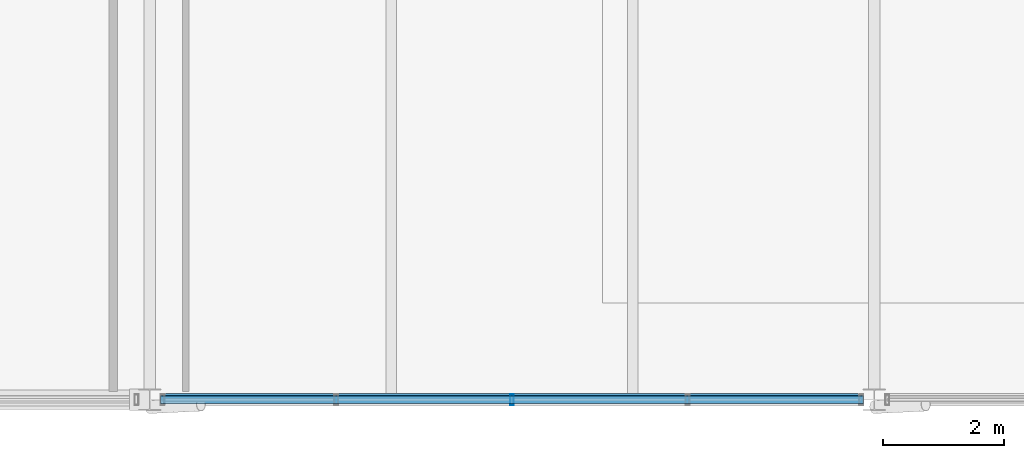
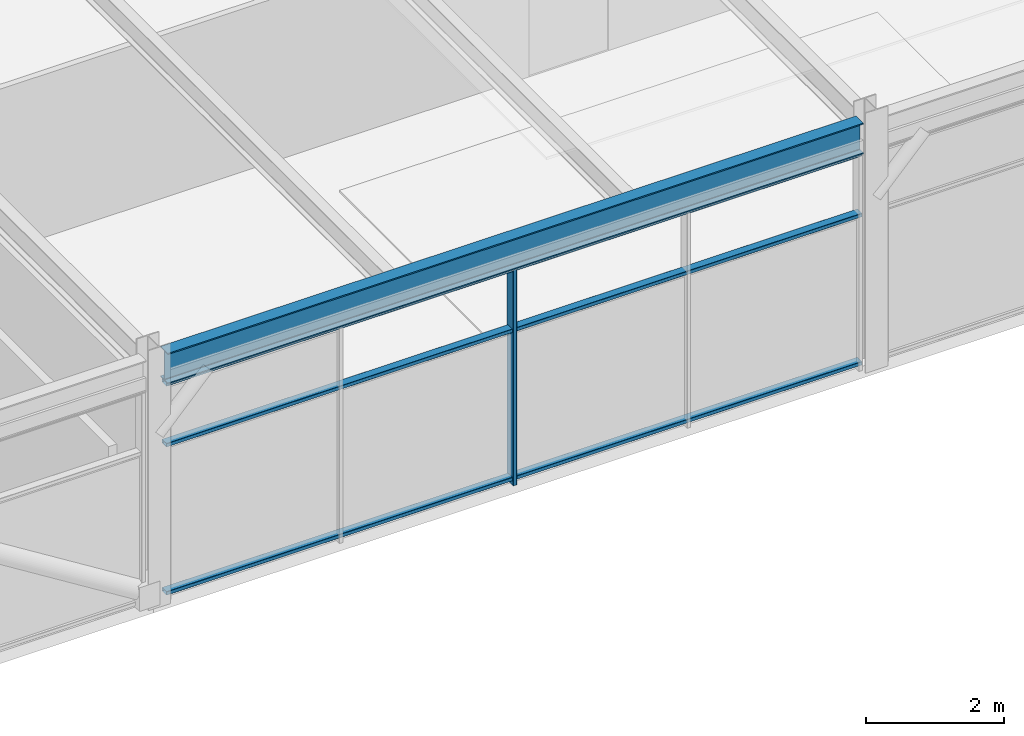
# One storey, part 8 of 28: 4 members, 1 beam, 1 element without a shape of its own.
"""IFC4 building model written with IfcOpenShell, lengths in metres."""

from ifc_helpers import new_model, si_unit, direction, frame, origin, origin_2d, place, context, subcontext, project, spatial, hollow_rectangle, i_section, extrude, material, material_profile, profile_set, type_object, element, aggregate, save


model = new_model("IFC4")

# Units and contexts
model_context = context("Model", 3, precision=1e-05, world=origin(), true_north=direction((0.0, 1.0)))
body_context = subcontext(model_context, "Body", "Model", "MODEL_VIEW")
ifc_project = project(units=[si_unit("LENGTHUNIT", "METRE"), si_unit("AREAUNIT", "SQUARE_METRE"), si_unit("VOLUMEUNIT", "CUBIC_METRE"), si_unit("PLANEANGLEUNIT", "RADIAN"), si_unit("MASSUNIT", "GRAM", prefix="KILO")], contexts=[model_context])

# Site, building, storey
site_placement = place(None, origin())
site = spatial("IfcSite", under=ifc_project, at=site_placement, CompositionType="ELEMENT")
building_placement = place(site_placement, origin())
building = spatial("IfcBuilding", under=site, at=building_placement, Name="Girod Span Mobility Hub", CompositionType="ELEMENT")
storey_placement = place(building_placement, frame((0.0, 0.0, 69.60009765625)))
storey = spatial("IfcBuildingStorey", under=building, at=storey_placement, Name="L17", CompositionType="ELEMENT", Elevation=69.60009765625)

# Beam
ifc_material_1 = material(Name="Steel A992 Grade 50", Category="steel")
ifc_material_profile_1 = material_profile(ifc_material_1, i_section(OverallWidth=0.2119140625, OverallDepth=0.5439453125, WebThickness=0.01318359375, FlangeThickness=0.021240234375, FilletRadius=0.014892578125, at=origin_2d()), Name="W21X83")
ifc_profile_set_1 = profile_set([ifc_material_profile_1], Name="Steel A992 Grade 50")
beam_type = type_object("IfcBeamType", Name="BM-STL-W21X83", PredefinedType="SPANDREL", material=ifc_profile_set_1)
beam_placement = place(storey_placement, frame((72.181396484375, 45.0, 4.10791015625), z_axis=(1.0, 0.0, 0.0), x_axis=(0.0, 1.0, 0.0)))
element("IfcBeam", 1, at=beam_placement, inside=storey, type_object=beam_type, Name="Girder 7-8/D L17", PredefinedType="SPANDREL", context=body_context, shape_type="SweptSolid", body=[
    extrude(i_section(OverallWidth=0.2119140625, OverallDepth=0.5439453125, WebThickness=0.01318359375, FlangeThickness=0.021240234375, FilletRadius=0.014892578125, at=origin_2d()), origin(), (0.0, 0.0, 1.0), 11.63720703125),
])

# Curtain wall, members
ifc_material_2 = material(Name="Thermally Broken Anodised Aluminium", Category="aluminium")
curtain_wall_type = type_object("IfcCurtainWallType", Name="CW-1164X384", PredefinedType="USERDEFINED", material=ifc_material_2)
curtain_wall_placement = place(storey_placement, origin())
curtain_wall = element("IfcCurtainWall", 2, at=curtain_wall_placement, inside=storey, type_object=curtain_wall_type, Name="Unitised Curtain Wall CW-L17-S07 L17", ObjectType="UNITISED CURTAIN WALL", PredefinedType="USERDEFINED")
ifc_material_3 = material(Name="Thermally Broken Anodised Aluminium", Category="aluminium")
ifc_material_profile_2 = material_profile(ifc_material_3, hollow_rectangle(XDim=0.179931640625, YDim=0.06494140625, WallThickness=0.00390625, InnerFilletRadius=0.00390625, OuterFilletRadius=0.008056640625, at=origin_2d()), Name="CW-ML-65X180")
ifc_profile_set_2 = profile_set([ifc_material_profile_2], Name="Thermally Broken Anodised Aluminium")
member_type_1 = type_object("IfcMemberType", Name="CWM-ML-2", PredefinedType="MULLION", material=ifc_profile_set_2)
member_1_placement = place(storey_placement, frame((78.0, 45.0, 0.0), z_axis=(0.0, 0.0, 1.0), x_axis=(0.0, 1.0, 0.0)))
member_1 = element("IfcMember", 3, at=member_1_placement, type_object=member_type_1, Name="Curtain Wall Mullion CW-L17-S07-M2", PredefinedType="MULLION", context=body_context, shape_type="SweptSolid", body=[
    extrude(hollow_rectangle(XDim=0.179931640625, YDim=0.06494140625, WallThickness=0.00390625, InnerFilletRadius=0.00390625, OuterFilletRadius=0.008056640625, at=origin_2d()), origin(), (0.0, 0.0, 1.0), 3.8359375),
])
ifc_material_4 = material(Name="Thermally Broken Anodised Aluminium", Category="aluminium")
ifc_material_profile_3 = material_profile(ifc_material_4, hollow_rectangle(XDim=0.135009765625, YDim=0.06494140625, WallThickness=0.00390625, InnerFilletRadius=0.00390625, OuterFilletRadius=0.008056640625, at=origin_2d()), Name="CW-TR-65X135")
ifc_profile_set_3 = profile_set([ifc_material_profile_3], Name="Thermally Broken Anodised Aluminium")
member_type_2 = type_object("IfcMemberType", Name="CWM-TR-2", PredefinedType="USERDEFINED", material=ifc_profile_set_3)
member_2_placement = place(storey_placement, frame((72.1826171875, 45.0, 0.107421875), z_axis=(1.0, 0.0, 0.0), x_axis=(0.0, 1.0, 0.0)))
member_2 = element("IfcMember", 4, at=member_2_placement, type_object=member_type_2, Name="Curtain Wall Transom CW-L17-S07-T1", ObjectType="TRANSOM", PredefinedType="USERDEFINED", context=body_context, shape_type="SweptSolid", body=[
    extrude(hollow_rectangle(XDim=0.135009765625, YDim=0.06494140625, WallThickness=0.00390625, InnerFilletRadius=0.00390625, OuterFilletRadius=0.008056640625, at=origin_2d()), origin(), (0.0, 0.0, 1.0), 11.634765625),
])
member_3_placement = place(storey_placement, frame((72.1826171875, 45.0, 2.729248046875), z_axis=(1.0, 0.0, 0.0), x_axis=(0.0, 1.0, 0.0)))
member_3 = element("IfcMember", 5, at=member_3_placement, type_object=member_type_2, Name="Curtain Wall Transom CW-L17-S07-T2", ObjectType="TRANSOM", PredefinedType="USERDEFINED", context=body_context, shape_type="SweptSolid", body=[
    extrude(hollow_rectangle(XDim=0.135009765625, YDim=0.06494140625, WallThickness=0.00390625, InnerFilletRadius=0.00390625, OuterFilletRadius=0.008056640625, at=origin_2d()), origin(), (0.0, 0.0, 1.0), 11.634765625),
])
member_4_placement = place(storey_placement, frame((72.1826171875, 45.0, 3.803466796875), z_axis=(1.0, 0.0, 0.0), x_axis=(0.0, 1.0, 0.0)))
member_4 = element("IfcMember", 6, at=member_4_placement, type_object=member_type_2, Name="Curtain Wall Transom CW-L17-S07-T3", ObjectType="TRANSOM", PredefinedType="USERDEFINED", context=body_context, shape_type="SweptSolid", body=[
    extrude(hollow_rectangle(XDim=0.135009765625, YDim=0.06494140625, WallThickness=0.00390625, InnerFilletRadius=0.00390625, OuterFilletRadius=0.008056640625, at=origin_2d()), origin(), (0.0, 0.0, 1.0), 11.634765625),
])
aggregate(curtain_wall, [member_1, member_2, member_3, member_4])

save(model, "model.ifc")
